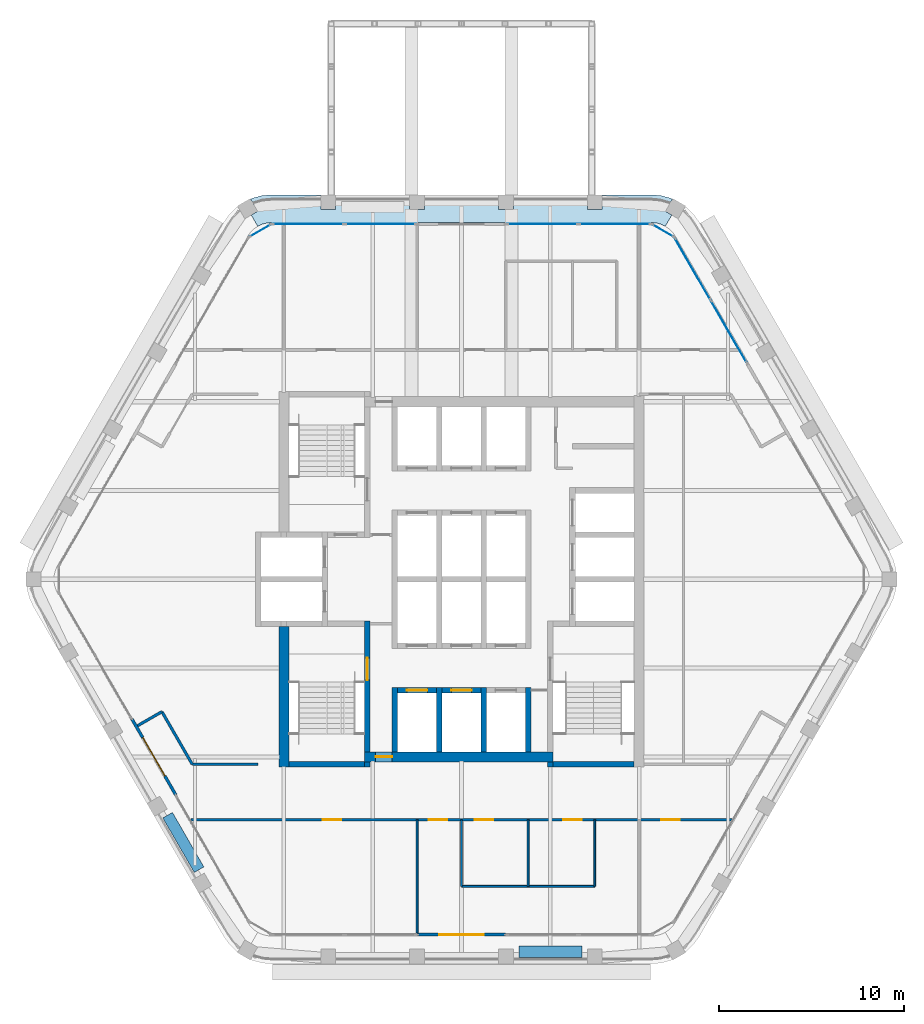
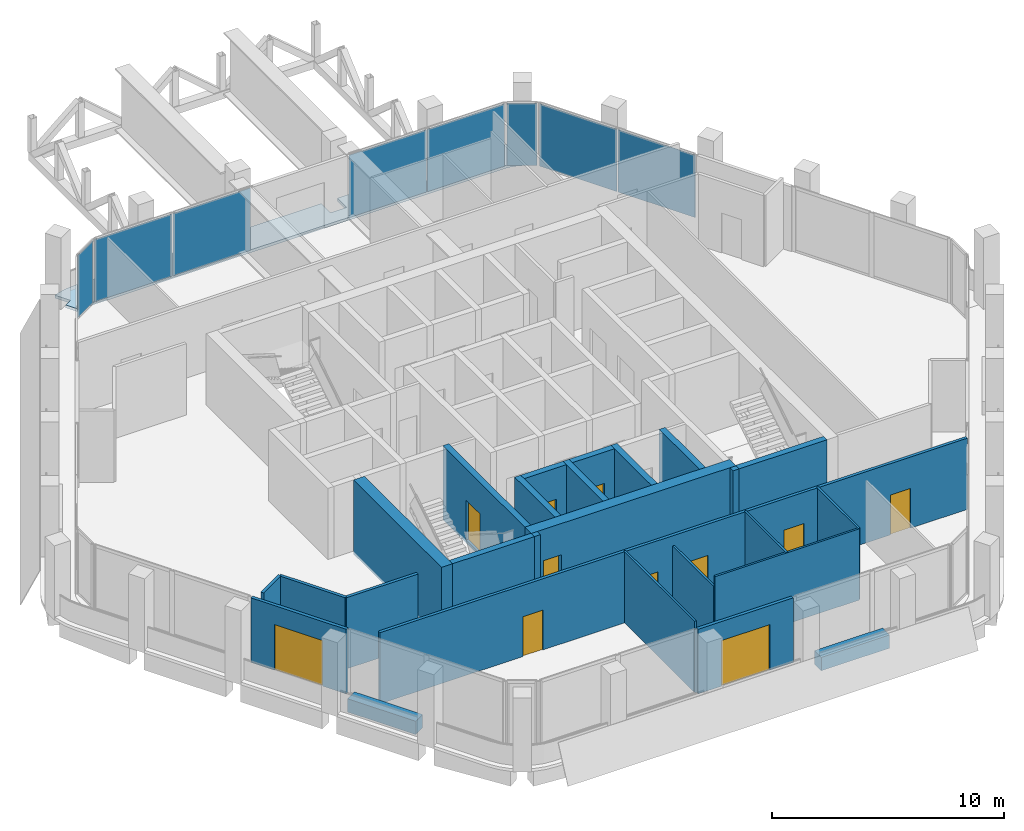
# One storey, part 8 of 14: 26 walls, 11 doors, 8 plates, 1 slab, 11 openings, 5 elements without a shape of their own.
"""IFC4 building model written with IfcOpenShell, lengths in metres."""

from ifc_helpers import new_model, si_unit, direction, frame, frame_2d, origin, origin_2d, place, context, subcontext, project, spatial, polyline, rectangle, outline, extrude, material, layer, layer_set, type_object, element, fill, aggregate, save


model = new_model("IFC4")

# Units and contexts
model_context = context("Model", 3, precision=1e-05, world=origin(), true_north=direction((0.0, 1.0)))
body_context = subcontext(model_context, "Body", "Model", "MODEL_VIEW")
ifc_project = project(units=[si_unit("LENGTHUNIT", "METRE"), si_unit("AREAUNIT", "SQUARE_METRE"), si_unit("VOLUMEUNIT", "CUBIC_METRE"), si_unit("PLANEANGLEUNIT", "RADIAN"), si_unit("MASSUNIT", "GRAM", prefix="KILO")], contexts=[model_context])

# Site, building, storey
site_placement = place(None, origin())
site = spatial("IfcSite", under=ifc_project, at=site_placement, CompositionType="ELEMENT")
building_placement = place(site_placement, origin())
building = spatial("IfcBuilding", under=site, at=building_placement, Name="Kolab Exchange Tower", CompositionType="ELEMENT")
storey_placement = place(building_placement, frame((0.0, 0.0, 265.699951171875)))
storey = spatial("IfcBuildingStorey", under=building, at=storey_placement, Name="L59", CompositionType="ELEMENT", Elevation=265.699951171875)

# Slab
ifc_material_1 = material(Name="Concrete C35/45", Category="concrete")
ifc_layer_1 = layer(ifc_material_1, 0.14990234375)
ifc_layer_set_1 = layer_set([ifc_layer_1], Name="Concrete C35/45")
slab_type = type_object("IfcSlabType", Name="LOGGIA SLAB 150", PredefinedType="FLOOR", material=ifc_layer_set_1)
slab_placement = place(storey_placement, frame((0.0, 0.0, -0.14990234375)))
element("IfcSlab", 1, at=slab_placement, inside=storey, type_object=slab_type, Name="slab/L59/loggia/0-0", PredefinedType="FLOOR", context=body_context, shape_type="SweptSolid", body=[
    extrude(outline(polyline([(11.01806640625, 19.083740234375), (11.367919921875, 19.68994140625), (11.021484375, 19.889892578125), (11.404052734375, 20.552490234375), (11.2939453125, 20.603759765625), (10.788818359375, 20.739013671875), (10.26806640625, 20.78466796875), (7.60009765625, 20.78466796875), (7.60009765625, 19.984619140625), (6.800048828125, 19.984619140625), (6.800048828125, 20.78466796875), (2.800048828125, 20.78466796875), (2.800048828125, 19.984619140625), (2.0, 19.984619140625), (2.0, 20.78466796875), (-2.0, 20.78466796875), (-2.0, 19.984619140625), (-2.800048828125, 19.984619140625), (-2.800048828125, 20.78466796875), (-6.800048828125, 20.78466796875), (-6.800048828125, 19.984619140625), (-7.60009765625, 19.984619140625), (-7.60009765625, 20.78466796875), (-10.26806640625, 20.78466796875), (-10.788818359375, 20.739013671875), (-11.2939453125, 20.603759765625), (-11.404052734375, 20.552490234375), (-11.021484375, 19.889892578125), (-11.367919921875, 19.68994140625), (-11.01806640625, 19.083740234375), (-10.781005859375, 19.194091796875), (-10.5283203125, 19.26171875), (-10.26806640625, 19.28466796875), (10.26806640625, 19.28466796875), (10.5283203125, 19.26171875), (10.781005859375, 19.194091796875), (11.01806640625, 19.083740234375)])), origin(), (0.0, 0.0, 1.0), 0.14990234375),
])

# Curtain wall, plates
ifc_material_2 = material(Name="Aluminium EN AW-6063 T6", Category="aluminium")
curtain_wall_type = type_object("IfcCurtainWallType", Name="UNITISED HIGH ZONE CURTAIN WALL", PredefinedType="NOTDEFINED", material=ifc_material_2)
curtain_wall_1_placement = place(storey_placement, origin())
curtain_wall_1 = element("IfcCurtainWall", 2, at=curtain_wall_1_placement, inside=storey, type_object=curtain_wall_type, Name="cw/L59/F1-1", PredefinedType="NOTDEFINED")
ifc_material_3 = material(Name="Clear insulated glazing unit", Category="glass")
ifc_layer_2 = layer(ifc_material_3, 0.030029296875)
ifc_layer_set_2 = layer_set([ifc_layer_2], Name="Clear insulated glazing unit")
plate_type = type_object("IfcPlateType", Name="UNITISED HIGH ZONE GLASS PANEL 30", PredefinedType="CURTAIN_PANEL", material=ifc_layer_set_2)
plate_1_placement = place(storey_placement, frame((-8.285888671875, 19.20458984375, 0.06005859375), z_axis=(0.0, 0.0, 1.0), x_axis=(1.0, 0.0, 0.0)))
plate_1 = element("IfcPlate", 3, at=plate_1_placement, type_object=plate_type, Name="CW4 panel 1.1", PredefinedType="CURTAIN_PANEL", context=body_context, shape_type="SweptSolid", body=[
    extrude(rectangle(XDim=3.843994140625, YDim=0.030029296875, at=origin_2d()), origin(), (0.0, 0.0, 1.0), 3.280029296875),
])
plate_2_placement = place(storey_placement, frame((-4.382080078125, 19.20458984375, 0.06005859375), z_axis=(0.0, 0.0, 1.0), x_axis=(1.0, 0.0, 0.0)))
plate_2 = element("IfcPlate", 4, at=plate_2_placement, type_object=plate_type, Name="CW4 panel 2.1", PredefinedType="CURTAIN_PANEL", context=body_context, shape_type="SweptSolid", body=[
    extrude(rectangle(XDim=3.843994140625, YDim=0.030029296875, at=origin_2d()), origin(), (0.0, 0.0, 1.0), 3.280029296875),
])
aggregate(curtain_wall_1, [plate_1, plate_2])

curtain_wall_2_placement = place(storey_placement, origin())
curtain_wall_2 = element("IfcCurtainWall", 5, at=curtain_wall_2_placement, inside=storey, type_object=curtain_wall_type, Name="cw/L59/F1-2", PredefinedType="NOTDEFINED")
plate_3_placement = place(storey_placement, frame((4.382080078125, 19.20458984375, 0.06005859375), z_axis=(0.0, 0.0, 1.0), x_axis=(1.0, 0.0, 0.0)))
plate_3 = element("IfcPlate", 6, at=plate_3_placement, type_object=plate_type, Name="CW4 panel 1.1", PredefinedType="CURTAIN_PANEL", context=body_context, shape_type="SweptSolid", body=[
    extrude(rectangle(XDim=3.843994140625, YDim=0.030029296875, at=origin_2d()), origin(), (0.0, 0.0, 1.0), 3.280029296875),
])
plate_4_placement = place(storey_placement, frame((8.285888671875, 19.20458984375, 0.06005859375), z_axis=(0.0, 0.0, 1.0), x_axis=(1.0, 0.0, 0.0)))
plate_4 = element("IfcPlate", 7, at=plate_4_placement, type_object=plate_type, Name="CW4 panel 2.1", PredefinedType="CURTAIN_PANEL", context=body_context, shape_type="SweptSolid", body=[
    extrude(rectangle(XDim=3.843994140625, YDim=0.030029296875, at=origin_2d()), origin(), (0.0, 0.0, 1.0), 3.280029296875),
])
aggregate(curtain_wall_2, [plate_3, plate_4])

curtain_wall_3_placement = place(storey_placement, origin())
curtain_wall_3 = element("IfcCurtainWall", 8, at=curtain_wall_3_placement, inside=storey, type_object=curtain_wall_type, Name="cw/L59/F2-1", PredefinedType="NOTDEFINED")
plate_5_placement = place(storey_placement, frame((12.48876953125, 16.778076171875, 0.06005859375), z_axis=(0.0, 0.0, 1.0), x_axis=(0.500000031681, -0.866025385493, 0.0)))
plate_5 = element("IfcPlate", 9, at=plate_5_placement, type_object=plate_type, Name="CW4 panel 1.1", PredefinedType="CURTAIN_PANEL", context=body_context, shape_type="SweptSolid", body=[
    extrude(rectangle(XDim=3.843994140625, YDim=0.030029296875, at=origin_2d()), origin(), (0.0, 0.0, 1.0), 3.280029296875),
])
plate_6_placement = place(storey_placement, frame((14.440673828125, 13.397216796875, 0.06005859375), z_axis=(0.0, 0.0, 1.0), x_axis=(0.500000031681, -0.866025385493, 0.0)))
plate_6 = element("IfcPlate", 10, at=plate_6_placement, type_object=plate_type, Name="CW4 panel 2.1", PredefinedType="CURTAIN_PANEL", context=body_context, shape_type="SweptSolid", body=[
    extrude(rectangle(XDim=3.843994140625, YDim=0.030029296875, at=origin_2d()), origin(), (0.0, 0.0, 1.0), 3.280029296875),
])
aggregate(curtain_wall_3, [plate_5, plate_6])

# Curtain wall, plate
curtain_wall_4_placement = place(storey_placement, origin())
curtain_wall_4 = element("IfcCurtainWall", 11, at=curtain_wall_4_placement, inside=storey, type_object=curtain_wall_type, Name="cw/L59/F1F2-corner", PredefinedType="NOTDEFINED")
plate_7_placement = place(storey_placement, frame((10.8828125, 18.849609375, 0.06005859375), z_axis=(0.0, 0.0, 1.0), x_axis=(0.866025390869, -0.50000002237, 0.0)))
plate_7 = element("IfcPlate", 12, at=plate_7_placement, type_object=plate_type, Name="CW4 panel 1.1", PredefinedType="CURTAIN_PANEL", context=body_context, shape_type="SweptSolid", body=[
    extrude(rectangle(XDim=1.300048828125, YDim=0.030029296875, at=origin_2d()), origin(), (0.0, 0.0, 1.0), 3.280029296875),
])
aggregate(curtain_wall_4, [plate_7])

curtain_wall_5_placement = place(storey_placement, origin())
curtain_wall_5 = element("IfcCurtainWall", 13, at=curtain_wall_5_placement, inside=storey, type_object=curtain_wall_type, Name="cw/L59/F6F1-corner", PredefinedType="NOTDEFINED")
plate_8_placement = place(storey_placement, frame((-10.8828125, 18.849609375, 0.06005859375), z_axis=(0.0, 0.0, 1.0), x_axis=(0.866025390869, 0.50000002237, 0.0)))
plate_8 = element("IfcPlate", 14, at=plate_8_placement, type_object=plate_type, Name="CW4 panel 1.1", PredefinedType="CURTAIN_PANEL", context=body_context, shape_type="SweptSolid", body=[
    extrude(rectangle(XDim=1.300048828125, YDim=0.030029296875, at=origin_2d()), origin(), (0.0, 0.0, 1.0), 3.280029296875),
])
aggregate(curtain_wall_5, [plate_8])

# Wall, opening, door
ifc_material_4 = material(Name="Concrete C50/60", Category="concrete")
ifc_layer_3 = layer(ifc_material_4, 0.550048828125)
ifc_layer_set_3 = layer_set([ifc_layer_3], Name="Concrete C50/60")
wall_type_1 = type_object("IfcWallType", Name="CORE WALL 550 C50/60", PredefinedType="SHEAR", material=ifc_layer_set_3)
wall_1_placement = place(storey_placement, frame((-5.25, -9.60009765625, -0.14990234375), z_axis=(0.0, 0.0, 1.0), x_axis=(1.0, 0.0, 0.0)))
wall_1 = element("IfcWall", 15, at=wall_1_placement, inside=storey, type_object=wall_type_1, Name="wall/L59/core/002", PredefinedType="SHEAR", context=body_context, shape_type="SweptSolid", body=[
    extrude(rectangle(XDim=10.199951171875, YDim=0.550048828125, at=frame_2d((5.10009765625, 0.0))), origin(), (0.0, 0.0, 1.0), 3.89990234375),
])
opening_1_placement = place(wall_1_placement, frame((0.60009765625, 0.0, 0.14990234375)))
opening_1 = element("IfcOpeningElement", 16, at=opening_1_placement, cuts=wall_1, Name="Opening D6-297", PredefinedType="OPENING", context=body_context, shape_type="SweptSolid", body=[
    extrude(rectangle(XDim=0.89990234375, YDim=2.10009765625, at=frame_2d((0.449951171875, 1.050048828125))), frame((0.0, 0.28515625, 0.0), z_axis=(0.0, -1.0, 0.0), x_axis=(1.0, 0.0, 0.0)), (0.0, 0.0, 1.0), 0.570068359375),
])
ifc_material_5 = material(Name="Steel S235", Category="steel")
door_type_1 = type_object("IfcDoorType", Name="CORE DOOR 900 EI 120", OperationType="SINGLE_SWING_LEFT", PredefinedType="DOOR", material=ifc_material_5)
door_1_placement = place(opening_1_placement, origin())
door_1 = element("IfcDoor", 17, at=door_1_placement, inside=storey, type_object=door_type_1, Name="Core lobby door", OperationType="SINGLE_SWING_RIGHT", OverallHeight=2.10009765625, OverallWidth=0.89990234375, PredefinedType="DOOR", context=body_context, shape_type="SweptSolid", body=[
    extrude(rectangle(XDim=0.89990234375, YDim=2.10009765625, at=frame_2d((0.449951171875, 1.050048828125))), frame((0.0, 0.02490234375, 0.0), z_axis=(0.0, -1.0, 0.0), x_axis=(1.0, 0.0, 0.0)), (0.0, 0.0, 1.0), 0.050048828125),
])
fill(opening_1, door_1)

# Wall
wall_2_placement = place(storey_placement, frame((-9.60009765625, -10.14990234375, -0.14990234375), z_axis=(0.0, 0.0, 1.0), x_axis=(0.0, 1.0, 0.0)))
element("IfcWall", 18, at=wall_2_placement, inside=storey, type_object=wall_type_1, Name="wall/L59/core/034", PredefinedType="SHEAR", context=body_context, shape_type="SweptSolid", body=[
    extrude(rectangle(XDim=7.599853515625, YDim=0.550048828125, at=frame_2d((3.7998046875, 0.0))), origin(), (0.0, 0.0, 1.0), 3.89990234375),
])

# Wall, opening, door
ifc_layer_4 = layer(ifc_material_2, 0.159912109375)
ifc_layer_set_4 = layer_set([ifc_layer_4], Name="Aluminium EN AW-6063 T6")
wall_type_2 = type_object("IfcWallType", Name="DOOR SURROUND WALL 160 ALUMINIUM FRAMED", PredefinedType="PARTITIONING", material=ifc_layer_set_4)
wall_3_placement = place(storey_placement, frame((2.3701171875, -19.20458984375, 0.0), z_axis=(0.0, 0.0, 1.0), x_axis=(-1.0, 0.0, 0.0)))
wall_3 = element("IfcWall", 19, at=wall_3_placement, inside=storey, type_object=wall_type_2, Name="Door surround wall", PredefinedType="PARTITIONING", context=body_context, shape_type="SweptSolid", body=[
    extrude(rectangle(XDim=4.740234375, YDim=0.159912109375, at=frame_2d((2.3701171875, 0.0))), origin(), (0.0, 0.0, 1.0), 3.400146484375),
])
opening_2_placement = place(wall_3_placement, frame((1.169921875, 0.0, 0.0)))
opening_2 = element("IfcOpeningElement", 20, at=opening_2_placement, cuts=wall_3, Name="Opening GD1-111", PredefinedType="OPENING", context=body_context, shape_type="SweptSolid", body=[
    extrude(rectangle(XDim=2.39990234375, YDim=2.39990234375, at=frame_2d((1.199951171875, 1.199951171875))), frame((0.0, 0.08984375, 0.0), z_axis=(0.0, -1.0, 0.0), x_axis=(1.0, 0.0, 0.0)), (0.0, 0.0, 1.0), 0.179931640625),
])
door_type_2 = type_object("IfcDoorType", Name="LOGGIA SLIDING GLASS DOOR 2400 X 2400", OperationType="DOUBLE_DOOR_SINGLE_SWING", PredefinedType="DOOR", material=ifc_material_2)
door_2_placement = place(opening_2_placement, origin())
door_2 = element("IfcDoor", 21, at=door_2_placement, inside=storey, type_object=door_type_2, Name="Loggia door", OperationType="DOUBLE_DOOR_SLIDING", OverallHeight=2.39990234375, OverallWidth=2.39990234375, PredefinedType="DOOR", context=body_context, shape_type="SweptSolid", body=[
    extrude(rectangle(XDim=2.39990234375, YDim=2.39990234375, at=frame_2d((1.199951171875, 1.199951171875))), frame((0.0, 0.02490234375, 0.0), z_axis=(0.0, -1.0, 0.0), x_axis=(1.0, 0.0, 0.0)), (0.0, 0.0, 1.0), 0.050048828125),
])
fill(opening_2, door_2)

wall_4_placement = place(storey_placement, frame((-15.44677734375, -11.65478515625, 0.0), z_axis=(0.0, 0.0, 1.0), x_axis=(-0.499978080042, 0.866038058908, 0.0)))
wall_4 = element("IfcWall", 22, at=wall_4_placement, inside=storey, type_object=wall_type_2, Name="Door surround wall", PredefinedType="PARTITIONING", context=body_context, shape_type="SweptSolid", body=[
    extrude(rectangle(XDim=4.739990234375, YDim=0.159912109375, at=frame_2d((2.3701171875, 0.0))), origin(), (0.0, 0.0, 1.0), 3.400146484375),
])
opening_3_placement = place(wall_4_placement, frame((1.169921875, 0.0, 0.0)))
opening_3 = element("IfcOpeningElement", 23, at=opening_3_placement, cuts=wall_4, Name="Opening GD1-112", PredefinedType="OPENING", context=body_context, shape_type="SweptSolid", body=[
    extrude(rectangle(XDim=2.39990234375, YDim=2.39990234375, at=frame_2d((1.199951171875, 1.199951171875))), frame((0.0, 0.08984375, 0.0), z_axis=(0.0, -1.0, 0.0), x_axis=(1.0, 0.0, 0.0)), (0.0, 0.0, 1.0), 0.179931640625),
])
door_3_placement = place(opening_3_placement, origin())
door_3 = element("IfcDoor", 24, at=door_3_placement, inside=storey, type_object=door_type_2, Name="Loggia door", OperationType="DOUBLE_DOOR_SLIDING", OverallHeight=2.39990234375, OverallWidth=2.39990234375, PredefinedType="DOOR", context=body_context, shape_type="SweptSolid", body=[
    extrude(rectangle(XDim=2.39990234375, YDim=2.39990234375, at=frame_2d((1.199951171875, 1.199951171875))), frame((0.0, 0.02490234375, 0.0), z_axis=(0.0, -1.0, 0.0), x_axis=(1.0, 0.0, 0.0)), (0.0, 0.0, 1.0), 0.050048828125),
])
fill(opening_3, door_3)

ifc_layer_5 = layer(ifc_material_4, 0.300048828125)
ifc_layer_set_5 = layer_set([ifc_layer_5], Name="Concrete C50/60")
wall_type_3 = type_object("IfcWallType", Name="LIFT SHAFT WALL 300 C50/60", PredefinedType="STANDARD", material=ifc_layer_set_5)
wall_5_placement = place(storey_placement, frame((-3.449951171875, -6.0, -0.14990234375), z_axis=(0.0, 0.0, 1.0), x_axis=(1.0, 0.0, 0.0)))
wall_5 = element("IfcWall", 25, at=wall_5_placement, inside=storey, type_object=wall_type_3, Name="wall/L59/core/003", PredefinedType="STANDARD", context=body_context, shape_type="SweptSolid", body=[
    extrude(rectangle(XDim=2.099853515625, YDim=0.300048828125, at=frame_2d((1.0498046875, 0.0))), origin(), (0.0, 0.0, 1.0), 3.89990234375),
])
opening_4_placement = place(wall_5_placement, frame((0.5, 0.0, 0.14990234375)))
opening_4 = element("IfcOpeningElement", 26, at=opening_4_placement, cuts=wall_5, Name="Opening LD1-110", PredefinedType="OPENING", context=body_context, shape_type="SweptSolid", body=[
    extrude(rectangle(XDim=1.10009765625, YDim=2.10009765625, at=frame_2d((0.550048828125, 1.050048828125))), frame((0.0, 0.16015625, 0.0), z_axis=(0.0, -1.0, 0.0), x_axis=(1.0, 0.0, 0.0)), (0.0, 0.0, 1.0), 0.320068359375),
])
ifc_material_6 = material(Name="Stainless steel 316", Category="steel")
door_type_3 = type_object("IfcDoorType", Name="LANDING DOOR 1100 PASSENGER", OperationType="DOUBLE_DOOR_SLIDING", PredefinedType="DOOR", material=ifc_material_6)
door_4_placement = place(opening_4_placement, origin())
door_4 = element("IfcDoor", 27, at=door_4_placement, inside=storey, type_object=door_type_3, Name="Landing door HR10", OperationType="DOUBLE_DOOR_SLIDING", OverallHeight=2.10009765625, OverallWidth=1.10009765625, PredefinedType="DOOR", context=body_context, shape_type="SweptSolid", body=[
    extrude(rectangle(XDim=1.10009765625, YDim=2.10009765625, at=frame_2d((0.550048828125, 1.050048828125))), frame((0.0, 0.02490234375, 0.0), z_axis=(0.0, -1.0, 0.0), x_axis=(1.0, 0.0, 0.0)), (0.0, 0.0, 1.0), 0.050048828125),
])
fill(opening_4, door_4)

wall_6_placement = place(storey_placement, frame((-1.050048828125, -6.0, -0.14990234375), z_axis=(0.0, 0.0, 1.0), x_axis=(1.0, 0.0, 0.0)))
wall_6 = element("IfcWall", 28, at=wall_6_placement, inside=storey, type_object=wall_type_3, Name="wall/L59/core/004", PredefinedType="STANDARD", context=body_context, shape_type="SweptSolid", body=[
    extrude(rectangle(XDim=2.10009765625, YDim=0.300048828125, at=frame_2d((1.050048828125, 0.0))), origin(), (0.0, 0.0, 1.0), 3.89990234375),
])
opening_5_placement = place(wall_6_placement, frame((0.5, 0.0, 0.14990234375)))
opening_5 = element("IfcOpeningElement", 29, at=opening_5_placement, cuts=wall_6, Name="Opening LD1-111", PredefinedType="OPENING", context=body_context, shape_type="SweptSolid", body=[
    extrude(rectangle(XDim=1.10009765625, YDim=2.10009765625, at=frame_2d((0.550048828125, 1.050048828125))), frame((0.0, 0.16015625, 0.0), z_axis=(0.0, -1.0, 0.0), x_axis=(1.0, 0.0, 0.0)), (0.0, 0.0, 1.0), 0.320068359375),
])
door_5_placement = place(opening_5_placement, origin())
door_5 = element("IfcDoor", 30, at=door_5_placement, inside=storey, type_object=door_type_3, Name="Landing door HR11", OperationType="DOUBLE_DOOR_SLIDING", OverallHeight=2.10009765625, OverallWidth=1.10009765625, PredefinedType="DOOR", context=body_context, shape_type="SweptSolid", body=[
    extrude(rectangle(XDim=1.10009765625, YDim=2.10009765625, at=frame_2d((0.550048828125, 1.050048828125))), frame((0.0, 0.02490234375, 0.0), z_axis=(0.0, -1.0, 0.0), x_axis=(1.0, 0.0, 0.0)), (0.0, 0.0, 1.0), 0.050048828125),
])
fill(opening_5, door_5)

# Walls
for number, where, z_axis, x_axis, name in (
    (31, (-3.60009765625, -9.324951171875, -0.14990234375), (0.0, 0.0, 1.0), (0.0, 1.0, 0.0), "wall/L59/core/043"),
    (32, (-1.199951171875, -9.324951171875, -0.14990234375), (0.0, 0.0, 1.0), (0.0, 1.0, 0.0), "wall/L59/core/046"),
    (33, (1.199951171875, -9.324951171875, -0.14990234375), (0.0, 0.0, 1.0), (0.0, 1.0, 0.0), "wall/L59/core/049"),
    (34, (3.60009765625, -9.324951171875, -0.14990234375), (0.0, 0.0, 1.0), (0.0, 1.0, 0.0), "wall/L59/core/052"),
):
    element("IfcWall", number, at=place(storey_placement, frame(where, z_axis=z_axis, x_axis=x_axis)), inside=storey, type_object=wall_type_3, Name=name, PredefinedType="STANDARD", context=body_context, shape_type="SweptSolid", body=[
        extrude(rectangle(XDim=3.474853515625, YDim=0.300048828125, at=frame_2d((1.7373046875, 0.0))), origin(), (0.0, 0.0, 1.0), 3.89990234375),
    ])
ifc_material_7 = material(Name="Gypsum board", Category="gypsum")
ifc_layer_6 = layer(ifc_material_7, 0.10009765625)
ifc_layer_set_6 = layer_set([ifc_layer_6], Name="Gypsum board")
wall_type_4 = type_object("IfcWallType", Name="PARTITION 100", PredefinedType="PARTITIONING", material=ifc_layer_set_6)
for number, where, z_axis, x_axis, name in (
    (35, (7.199951171875, -16.60009765625, 0.0), (0.0, 0.0, 1.0), (0.0, 1.0, 0.0), "Partition 004"),
    (36, (3.60009765625, -16.60009765625, 0.0), (0.0, 0.0, 1.0), (0.0, 1.0, 0.0), "Partition 007"),
):
    element("IfcWall", number, at=place(storey_placement, frame(where, z_axis=z_axis, x_axis=x_axis)), inside=storey, type_object=wall_type_4, Name=name, PredefinedType="PARTITIONING", context=body_context, shape_type="SweptSolid", body=[
        extrude(rectangle(XDim=3.60009765625, YDim=0.10009765625, at=frame_2d((1.800048828125, 0.0))), origin(), (0.0, 0.0, 1.0), 3.75),
    ])
wall_7_placement = place(storey_placement, frame((0.0, -16.60009765625, 0.0), z_axis=(0.0, 0.0, 1.0), x_axis=(0.0, 1.0, 0.0)))
element("IfcWall", 37, at=wall_7_placement, inside=storey, type_object=wall_type_4, Name="Partition 009", PredefinedType="PARTITIONING", context=body_context, shape_type="SweptSolid", body=[
    extrude(rectangle(XDim=3.60009765625, YDim=0.10009765625, at=frame_2d((1.800048828125, 0.0))), origin(), (0.0, 0.0, 1.0), 3.217041015625),
])
wall_8_placement = place(storey_placement, frame((-2.39990234375, -19.12451171875, 0.0), z_axis=(0.0, 0.0, 1.0), x_axis=(0.0, 1.0, 0.0)))
element("IfcWall", 38, at=wall_8_placement, inside=storey, type_object=wall_type_4, Name="Partition 010", PredefinedType="PARTITIONING", context=body_context, shape_type="SweptSolid", body=[
    extrude(rectangle(XDim=6.12451171875, YDim=0.10009765625, at=frame_2d((3.062255859375, 0.0))), origin(), (0.0, 0.0, 1.0), 3.75),
])
wall_9_placement = place(storey_placement, frame((0.0, -16.60009765625, 0.0), z_axis=(0.0, 0.0, 1.0), x_axis=(1.0, 0.0, 0.0)))
element("IfcWall", 39, at=wall_9_placement, inside=storey, type_object=wall_type_4, Name="Partition 021", PredefinedType="PARTITIONING", context=body_context, shape_type="SweptSolid", body=[
    extrude(rectangle(XDim=7.199951171875, YDim=0.10009765625, at=frame_2d((3.60009765625, 0.0))), origin(), (0.0, 0.0, 1.0), 3.75),
])
ifc_layer_7 = layer(ifc_material_7, 0.14990234375)
ifc_layer_set_7 = layer_set([ifc_layer_7], Name="Gypsum board")
wall_type_5 = type_object("IfcWallType", Name="PARTITION 150 FIRE-RATED", PredefinedType="PARTITIONING", material=ifc_layer_set_7)
wall_10_placement = place(storey_placement, frame((-16.196044921875, -7.15673828125, 0.0), z_axis=(0.0, 0.0, 1.0), x_axis=(0.499954196102, -0.866051847062, 0.0)))
element("IfcWall", 40, at=wall_10_placement, inside=storey, type_object=wall_type_5, Name="Partition 013", PredefinedType="PARTITIONING", context=body_context, shape_type="SweptSolid", body=[
    extrude(rectangle(XDim=3.282958984375, YDim=0.14990234375, at=frame_2d((1.6416015625, 0.0))), origin(), (0.0, 0.0, 1.0), 3.75),
])
wall_11_placement = place(storey_placement, frame((-17.512451171875, -7.9169921875, 0.0), z_axis=(0.0, 0.0, 1.0), x_axis=(0.865960906633, 0.500111695708, 0.0)))
element("IfcWall", 41, at=wall_11_placement, inside=storey, type_object=wall_type_5, Name="Partition 020", PredefinedType="PARTITIONING", context=body_context, shape_type="SweptSolid", body=[
    extrude(rectangle(XDim=1.520263671875, YDim=0.14990234375, at=frame_2d((0.76025390625, 0.0))), origin(), (0.0, 0.0, 1.0), 3.75),
])

# Wall, openings, doors
wall_12_placement = place(storey_placement, frame((-14.623779296875, -13.0, 0.0), z_axis=(0.0, 0.0, 1.0), x_axis=(1.0, 0.0, 0.0)))
wall_12 = element("IfcWall", 42, at=wall_12_placement, inside=storey, type_object=wall_type_5, Name="Partition 022", PredefinedType="PARTITIONING", context=body_context, shape_type="SweptSolid", body=[
    extrude(rectangle(XDim=29.24755859375, YDim=0.14990234375, at=frame_2d((14.623779296875, 0.0))), origin(), (0.0, 0.0, 1.0), 3.75),
])
opening_6_placement = place(wall_12_placement, frame((15.328857421875, 0.0, 0.0)))
opening_6 = element("IfcOpeningElement", 43, at=opening_6_placement, cuts=wall_12, Name="Opening D1-717", PredefinedType="OPENING", context=body_context, shape_type="SweptSolid", body=[
    extrude(rectangle(XDim=1.0, YDim=2.10009765625, at=frame_2d((0.5, 1.050048828125))), frame((0.0, 0.0849609375, 0.0), z_axis=(0.0, -1.0, 0.0), x_axis=(1.0, 0.0, 0.0)), (0.0, 0.0, 1.0), 0.169921875),
])
opening_7_placement = place(wall_12_placement, frame((20.118896484375, 0.0, 0.0)))
opening_7 = element("IfcOpeningElement", 44, at=opening_7_placement, cuts=wall_12, Name="Opening D1-718", PredefinedType="OPENING", context=body_context, shape_type="SweptSolid", body=[
    extrude(rectangle(XDim=1.0, YDim=2.10009765625, at=frame_2d((0.5, 1.050048828125))), frame((0.0, 0.0849609375, 0.0), z_axis=(0.0, -1.0, 0.0), x_axis=(1.0, 0.0, 0.0)), (0.0, 0.0, 1.0), 0.169921875),
])
opening_8_placement = place(wall_12_placement, frame((7.112060546875, 0.0, 0.0)))
opening_8 = element("IfcOpeningElement", 45, at=opening_8_placement, cuts=wall_12, Name="Opening D1-709", PredefinedType="OPENING", context=body_context, shape_type="SweptSolid", body=[
    extrude(rectangle(XDim=1.0, YDim=2.10009765625, at=frame_2d((0.5, 1.050048828125))), frame((0.0, 0.0849609375, 0.0), z_axis=(0.0, -1.0, 0.0), x_axis=(1.0, 0.0, 0.0)), (0.0, 0.0, 1.0), 0.169921875),
])
opening_9_placement = place(wall_12_placement, frame((12.848876953125, 0.0, 0.0)))
opening_9 = element("IfcOpeningElement", 46, at=opening_9_placement, cuts=wall_12, Name="Opening D1-719", PredefinedType="OPENING", context=body_context, shape_type="SweptSolid", body=[
    extrude(rectangle(XDim=1.0, YDim=2.10009765625, at=frame_2d((0.5, 1.050048828125))), frame((0.0, 0.0849609375, 0.0), z_axis=(0.0, -1.0, 0.0), x_axis=(1.0, 0.0, 0.0)), (0.0, 0.0, 1.0), 0.169921875),
])
opening_10_placement = place(wall_12_placement, frame((25.414306640625, 0.0, 0.0)))
opening_10 = element("IfcOpeningElement", 47, at=opening_10_placement, cuts=wall_12, Name="Opening D1-720", PredefinedType="OPENING", context=body_context, shape_type="SweptSolid", body=[
    extrude(rectangle(XDim=1.0, YDim=2.10009765625, at=frame_2d((0.5, 1.050048828125))), frame((0.0, 0.0849609375, 0.0), z_axis=(0.0, -1.0, 0.0), x_axis=(1.0, 0.0, 0.0)), (0.0, 0.0, 1.0), 0.169921875),
])
door_type_4 = type_object("IfcDoorType", Name="FLUSH DOOR 1000 FD60", OperationType="SINGLE_SWING_LEFT", PredefinedType="DOOR", material=ifc_material_5)
door_6_placement = place(opening_6_placement, frame((1.0, 0.0, 0.0), z_axis=(0.0, 0.0, 1.0), x_axis=(-1.0, 0.0, 0.0)))
door_6 = element("IfcDoor", 48, at=door_6_placement, inside=storey, type_object=door_type_4, Name="Door L59-035", OperationType="SINGLE_SWING_LEFT", OverallHeight=2.10009765625, OverallWidth=1.0, PredefinedType="DOOR", context=body_context, shape_type="SweptSolid", body=[
    extrude(rectangle(XDim=1.0, YDim=2.10009765625, at=frame_2d((0.5, 1.050048828125))), frame((0.0, 0.02490234375, 0.0), z_axis=(0.0, -1.0, 0.0), x_axis=(1.0, 0.0, 0.0)), (0.0, 0.0, 1.0), 0.050048828125),
])
fill(opening_6, door_6)
door_7_placement = place(opening_7_placement, frame((1.0, 0.0, 0.0), z_axis=(0.0, 0.0, 1.0), x_axis=(-1.0, 0.0, 0.0)))
door_7 = element("IfcDoor", 49, at=door_7_placement, inside=storey, type_object=door_type_4, Name="Door L59-036", OperationType="SINGLE_SWING_RIGHT", OverallHeight=2.10009765625, OverallWidth=1.0, PredefinedType="DOOR", context=body_context, shape_type="SweptSolid", body=[
    extrude(rectangle(XDim=1.0, YDim=2.10009765625, at=frame_2d((0.5, 1.050048828125))), frame((0.0, 0.02490234375, 0.0), z_axis=(0.0, -1.0, 0.0), x_axis=(1.0, 0.0, 0.0)), (0.0, 0.0, 1.0), 0.050048828125),
])
fill(opening_7, door_7)
door_8_placement = place(opening_8_placement, frame((1.0, 0.0, 0.0), z_axis=(0.0, 0.0, 1.0), x_axis=(-1.0, 0.0, 0.0)))
door_8 = element("IfcDoor", 50, at=door_8_placement, inside=storey, type_object=door_type_4, Name="Door L59-037", OperationType="SINGLE_SWING_RIGHT", OverallHeight=2.10009765625, OverallWidth=1.0, PredefinedType="DOOR", context=body_context, shape_type="SweptSolid", body=[
    extrude(rectangle(XDim=1.0, YDim=2.10009765625, at=frame_2d((0.5, 1.050048828125))), frame((0.0, 0.02490234375, 0.0), z_axis=(0.0, -1.0, 0.0), x_axis=(1.0, 0.0, 0.0)), (0.0, 0.0, 1.0), 0.050048828125),
])
fill(opening_8, door_8)
door_9_placement = place(opening_9_placement, frame((1.0, 0.0, 0.0), z_axis=(0.0, 0.0, 1.0), x_axis=(-1.0, 0.0, 0.0)))
door_9 = element("IfcDoor", 51, at=door_9_placement, inside=storey, type_object=door_type_4, Name="Door L59-038", OperationType="SINGLE_SWING_LEFT", OverallHeight=2.10009765625, OverallWidth=1.0, PredefinedType="DOOR", context=body_context, shape_type="SweptSolid", body=[
    extrude(rectangle(XDim=1.0, YDim=2.10009765625, at=frame_2d((0.5, 1.050048828125))), frame((0.0, 0.02490234375, 0.0), z_axis=(0.0, -1.0, 0.0), x_axis=(1.0, 0.0, 0.0)), (0.0, 0.0, 1.0), 0.050048828125),
])
fill(opening_9, door_9)
door_10_placement = place(opening_10_placement, frame((1.0, 0.0, 0.0), z_axis=(0.0, 0.0, 1.0), x_axis=(-1.0, 0.0, 0.0)))
door_10 = element("IfcDoor", 52, at=door_10_placement, inside=storey, type_object=door_type_4, Name="Door L59-039", OperationType="SINGLE_SWING_LEFT", OverallHeight=2.10009765625, OverallWidth=1.0, PredefinedType="DOOR", context=body_context, shape_type="SweptSolid", body=[
    extrude(rectangle(XDim=1.0, YDim=2.10009765625, at=frame_2d((0.5, 1.050048828125))), frame((0.0, 0.02490234375, 0.0), z_axis=(0.0, -1.0, 0.0), x_axis=(1.0, 0.0, 0.0)), (0.0, 0.0, 1.0), 0.050048828125),
])
fill(opening_10, door_10)

# Walls
wall_13_placement = place(storey_placement, frame((-14.5546875, -10.0, 0.0), z_axis=(0.0, 0.0, 1.0), x_axis=(1.0, 0.0, 0.0)))
element("IfcWall", 53, at=wall_13_placement, inside=storey, type_object=wall_type_5, Name="Partition 023", PredefinedType="PARTITIONING", context=body_context, shape_type="SweptSolid", body=[
    extrude(rectangle(XDim=3.5546875, YDim=0.14990234375, at=frame_2d((1.77734375, 0.0))), origin(), (0.0, 0.0, 1.0), 3.75),
])
ifc_material_8 = material(Name="Granite facing", Category="masonry")
ifc_layer_8 = layer(ifc_material_8, 0.0400390625)
ifc_material_9 = material(Name="Concrete C40/50 precast", Category="concrete")
ifc_layer_9 = layer(ifc_material_9, 0.56005859375)
ifc_layer_set_8 = layer_set([ifc_layer_8, ifc_layer_9], Name="Concrete C40/50 precast")
wall_type_6 = type_object("IfcWallType", Name="PLANTER BOX 600 X 700 SOIL DEPTH 550", PredefinedType="USERDEFINED", material=ifc_layer_set_8)
wall_14_placement = place(storey_placement, frame((6.5, -20.134521484375, 0.0), z_axis=(0.0, 0.0, 1.0), x_axis=(-1.0, 0.0, 0.0)))
element("IfcWall", 54, at=wall_14_placement, inside=storey, type_object=wall_type_6, Name="Planter", ObjectType="PLANTER", PredefinedType="USERDEFINED", context=body_context, shape_type="SweptSolid", body=[
    extrude(rectangle(XDim=3.39990234375, YDim=0.60009765625, at=frame_2d((1.699951171875, 0.0))), origin(), (0.0, 0.0, 1.0), 0.699951171875),
])
wall_15_placement = place(storey_placement, frame((-14.18701171875, -15.696533203125, 0.0), z_axis=(0.0, 0.0, 1.0), x_axis=(-0.499977295307, 0.866038511948, 0.0)))
element("IfcWall", 55, at=wall_15_placement, inside=storey, type_object=wall_type_6, Name="Planter", ObjectType="PLANTER", PredefinedType="USERDEFINED", context=body_context, shape_type="SweptSolid", body=[
    extrude(rectangle(XDim=3.400146484375, YDim=0.60009765625, at=frame_2d((1.7001953125, 0.0))), origin(), (0.0, 0.0, 1.0), 0.699951171875),
])
ifc_layer_10 = layer(ifc_material_4, 0.300048828125)
ifc_layer_set_9 = layer_set([ifc_layer_10], Name="Concrete C50/60")
wall_type_7 = type_object("IfcWallType", Name="STAIR ENCLOSURE WALL 300 C50/60", PredefinedType="STANDARD", material=ifc_layer_set_9)
wall_16_placement = place(storey_placement, frame((-9.324951171875, -10.0, -0.14990234375), z_axis=(0.0, 0.0, 1.0), x_axis=(1.0, 0.0, 0.0)))
element("IfcWall", 56, at=wall_16_placement, inside=storey, type_object=wall_type_7, Name="wall/L59/core/000", PredefinedType="STANDARD", context=body_context, shape_type="SweptSolid", body=[
    extrude(rectangle(XDim=4.074951171875, YDim=0.300048828125, at=frame_2d((2.03759765625, 0.0))), origin(), (0.0, 0.0, 1.0), 3.89990234375),
])
wall_17_placement = place(storey_placement, frame((4.949951171875, -10.0, -0.14990234375), z_axis=(0.0, 0.0, 1.0), x_axis=(1.0, 0.0, 0.0)))
element("IfcWall", 57, at=wall_17_placement, inside=storey, type_object=wall_type_7, Name="wall/L59/core/001", PredefinedType="STANDARD", context=body_context, shape_type="SweptSolid", body=[
    extrude(rectangle(XDim=4.375, YDim=0.300048828125, at=frame_2d((2.1875, 0.0))), origin(), (0.0, 0.0, 1.0), 3.89990234375),
])
wall_18_placement = place(storey_placement, frame((-5.10009765625, -10.14990234375, -0.14990234375), z_axis=(0.0, 0.0, 1.0), x_axis=(0.0, 1.0, 0.0)))
element("IfcWall", 58, at=wall_18_placement, inside=storey, type_object=wall_type_7, Name="wall/L59/core/039", PredefinedType="STANDARD", context=body_context, shape_type="SweptSolid", body=[
    extrude(rectangle(XDim=0.27490234375, YDim=0.300048828125, at=frame_2d((0.137451171875, 0.0))), origin(), (0.0, 0.0, 1.0), 3.89990234375),
])

# Wall, opening, door
wall_19_placement = place(storey_placement, frame((-5.10009765625, -9.324951171875, -0.14990234375), z_axis=(0.0, 0.0, 1.0), x_axis=(0.0, 1.0, 0.0)))
wall_19 = element("IfcWall", 59, at=wall_19_placement, inside=storey, type_object=wall_type_7, Name="wall/L59/core/040", PredefinedType="STANDARD", context=body_context, shape_type="SweptSolid", body=[
    extrude(rectangle(XDim=7.074951171875, YDim=0.300048828125, at=frame_2d((3.53759765625, 0.0))), origin(), (0.0, 0.0, 1.0), 3.89990234375),
])
opening_11_placement = place(wall_19_placement, frame((3.875, 0.0, 0.14990234375)))
opening_11 = element("IfcOpeningElement", 60, at=opening_11_placement, cuts=wall_19, Name="Opening D4-078", PredefinedType="OPENING", context=body_context, shape_type="SweptSolid", body=[
    extrude(rectangle(XDim=1.199951171875, YDim=2.10009765625, at=frame_2d((0.60009765625, 1.050048828125))), frame((0.0, 0.16015625, 0.0), z_axis=(0.0, -1.0, 0.0), x_axis=(1.0, 0.0, 0.0)), (0.0, 0.0, 1.0), 0.320068359375),
])
door_type_5 = type_object("IfcDoorType", Name="STAIR DOOR 1200 EI 120", OperationType="SINGLE_SWING_LEFT", PredefinedType="DOOR", material=ifc_material_5)
door_11_placement = place(opening_11_placement, origin())
door_11 = element("IfcDoor", 61, at=door_11_placement, inside=storey, type_object=door_type_5, Name="Stair 3 door", OperationType="SINGLE_SWING_RIGHT", OverallHeight=2.10009765625, OverallWidth=1.199951171875, PredefinedType="DOOR", context=body_context, shape_type="SweptSolid", body=[
    extrude(rectangle(XDim=1.199951171875, YDim=2.10009765625, at=frame_2d((0.60009765625, 1.050048828125))), frame((0.0, 0.02490234375, 0.0), z_axis=(0.0, -1.0, 0.0), x_axis=(1.0, 0.0, 0.0)), (0.0, 0.0, 1.0), 0.050048828125),
])
fill(opening_11, door_11)

# Wall
wall_20_placement = place(storey_placement, frame((4.800048828125, -10.14990234375, -0.14990234375), z_axis=(0.0, 0.0, 1.0), x_axis=(0.0, 1.0, 0.0)))
element("IfcWall", 62, at=wall_20_placement, inside=storey, type_object=wall_type_7, Name="wall/L59/core/055", PredefinedType="STANDARD", context=body_context, shape_type="SweptSolid", body=[
    extrude(rectangle(XDim=0.27490234375, YDim=0.300048828125, at=frame_2d((0.137451171875, 0.0))), origin(), (0.0, 0.0, 1.0), 3.89990234375),
])

save(model, "model.ifc")
